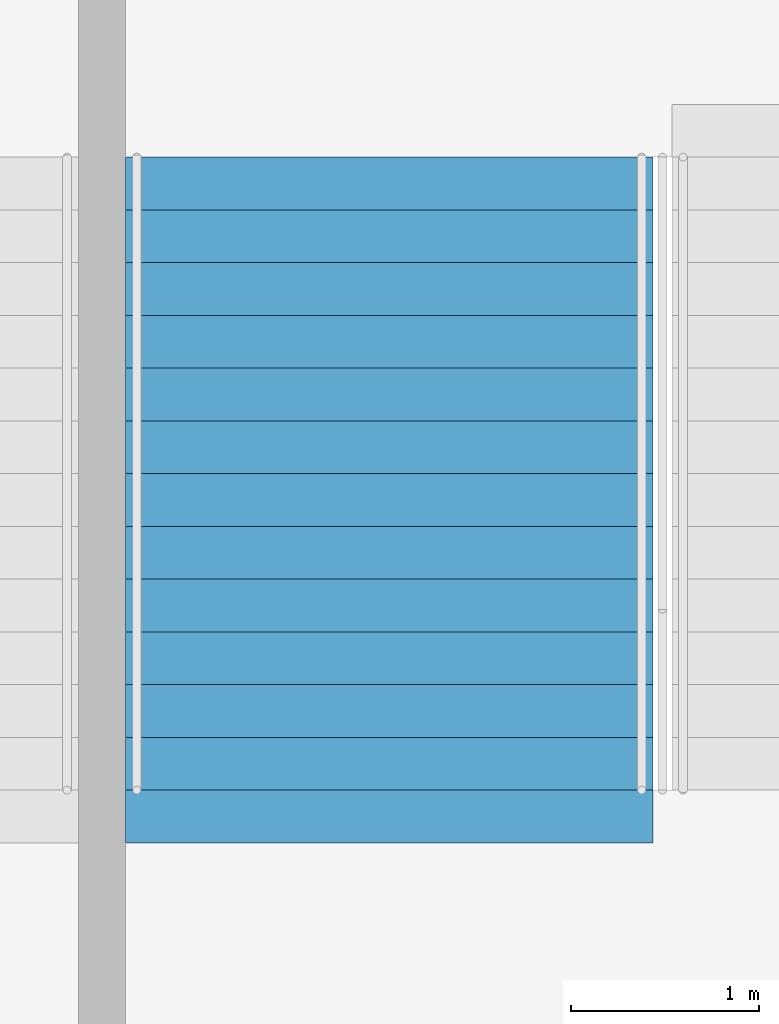
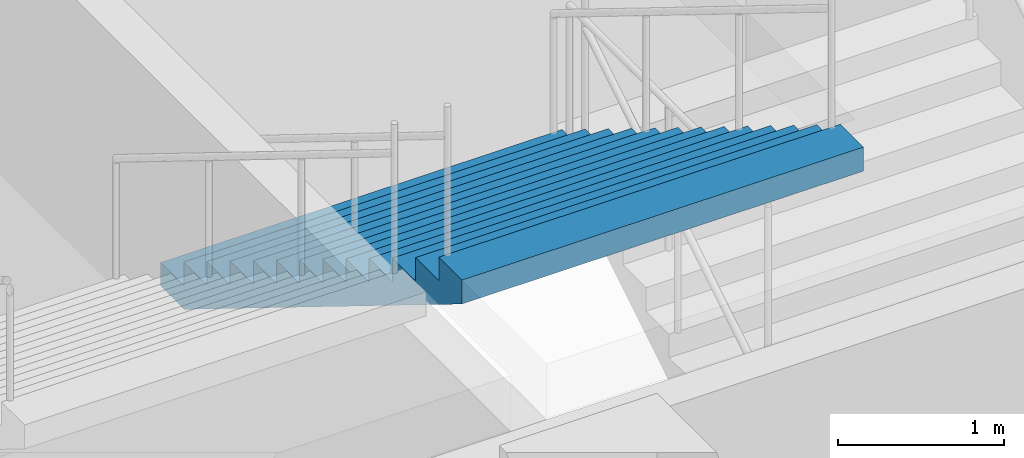
# One storey, part 161 of 199: 1 stair flight, 1 element without a shape of its own.
"""IFC4 building model written with IfcOpenShell, lengths in metres."""

from ifc_helpers import new_model, si_unit, direction, frame, origin, place, context, subcontext, project, spatial, faceted_brep, material, type_object, element, aggregate, save


model = new_model("IFC4")

# Units and contexts
model_context = context("Model", 3, precision=1e-05, world=origin(), true_north=direction((0.0, 1.0)))
body_context = subcontext(model_context, "Body", "Model", "MODEL_VIEW")
ifc_project = project(units=[si_unit("LENGTHUNIT", "METRE"), si_unit("AREAUNIT", "SQUARE_METRE"), si_unit("VOLUMEUNIT", "CUBIC_METRE"), si_unit("PLANEANGLEUNIT", "RADIAN"), si_unit("MASSUNIT", "GRAM", prefix="KILO")], contexts=[model_context])

# Site, building, storey
site_placement = place(None, origin())
site = spatial("IfcSite", under=ifc_project, at=site_placement, CompositionType="ELEMENT")
building_placement = place(site_placement, origin())
building = spatial("IfcBuilding", under=site, at=building_placement, Name="Ogive Plaza Stadium", CompositionType="ELEMENT")
storey_placement = place(building_placement, frame((0.0, 0.0, 9.0)))
storey = spatial("IfcBuildingStorey", under=building, at=storey_placement, Name="L02", CompositionType="ELEMENT", Elevation=9.0)

# Stair, stair flight
ifc_material_1 = material(Name="Concrete C40/50", Category="concrete")
stair_type = type_object("IfcStairType", Name="Exit stair", PredefinedType="STRAIGHT_RUN_STAIR", material=ifc_material_1)
stair_placement = place(storey_placement, origin())
stair = element("IfcStair", 1, at=stair_placement, inside=storey, type_object=stair_type, Name="Exit stair ST32A L02 to L03", PredefinedType="STRAIGHT_RUN_STAIR")
ifc_material_2 = material(Name="Concrete C40/50", Category="concrete")
stair_flight_type = type_object("IfcStairFlightType", Name="Exit stair flight", PredefinedType="STRAIGHT", material=ifc_material_2)
stair_flight_placement = place(storey_placement, frame((-32.47509765625, 98.2099609375, 2.25), z_axis=(0.0, 0.0, 1.0), x_axis=(0.0, -1.0, 0.0)))
stair_flight = element("IfcStairFlight", 2, at=stair_flight_placement, type_object=stair_flight_type, Name="ST32A flight 2", NumberOfRisers=13, NumberOfTreads=12, PredefinedType="STRAIGHT", RiserHeight=0.173076923, TreadLength=0.28, context=body_context, shape_type="Brep", body=[
    faceted_brep([(0.28515625, -1.39990234375, 0.0), (3.639892578125, -1.39990234375, 2.07373046875), (3.639892578125, -1.39990234375, 2.25), (3.360107421875, -1.39990234375, 2.25), (3.360107421875, -1.39990234375, 2.076904296875), (3.080078125, -1.39990234375, 2.076904296875), (3.080078125, -1.39990234375, 1.90380859375), (2.800048828125, -1.39990234375, 1.90380859375), (2.800048828125, -1.39990234375, 1.730712890625), (2.52001953125, -1.39990234375, 1.730712890625), (2.52001953125, -1.39990234375, 1.5576171875), (2.239990234375, -1.39990234375, 1.5576171875), (2.239990234375, -1.39990234375, 1.384521484375), (1.9599609375, -1.39990234375, 1.384521484375), (1.9599609375, -1.39990234375, 1.21142578125), (1.679931640625, -1.39990234375, 1.21142578125), (1.679931640625, -1.39990234375, 1.03857421875), (1.39990234375, -1.39990234375, 1.03857421875), (1.39990234375, -1.39990234375, 0.865478515625), (1.1201171875, -1.39990234375, 0.865478515625), (1.1201171875, -1.39990234375, 0.6923828125), (0.840087890625, -1.39990234375, 0.6923828125), (0.840087890625, -1.39990234375, 0.519287109375), (0.56005859375, -1.39990234375, 0.519287109375), (0.56005859375, -1.39990234375, 0.34619140625), (0.280029296875, -1.39990234375, 0.34619140625), (0.280029296875, -1.39990234375, 0.173095703125), (0.0, -1.39990234375, 0.173095703125), (0.0, -1.39990234375, 0.0), (0.0, 1.39990234375, 0.0), (0.0, 1.39990234375, 0.173095703125), (0.280029296875, 1.39990234375, 0.173095703125), (0.280029296875, 1.39990234375, 0.34619140625), (0.56005859375, 1.39990234375, 0.34619140625), (0.56005859375, 1.39990234375, 0.519287109375), (0.840087890625, 1.39990234375, 0.519287109375), (0.840087890625, 1.39990234375, 0.6923828125), (1.1201171875, 1.39990234375, 0.6923828125), (1.1201171875, 1.39990234375, 0.865478515625), (1.39990234375, 1.39990234375, 0.865478515625), (1.39990234375, 1.39990234375, 1.03857421875), (1.679931640625, 1.39990234375, 1.03857421875), (1.679931640625, 1.39990234375, 1.21142578125), (1.9599609375, 1.39990234375, 1.21142578125), (1.9599609375, 1.39990234375, 1.384521484375), (2.239990234375, 1.39990234375, 1.384521484375), (2.239990234375, 1.39990234375, 1.5576171875), (2.52001953125, 1.39990234375, 1.5576171875), (2.52001953125, 1.39990234375, 1.730712890625), (2.800048828125, 1.39990234375, 1.730712890625), (2.800048828125, 1.39990234375, 1.90380859375), (3.080078125, 1.39990234375, 1.90380859375), (3.080078125, 1.39990234375, 2.076904296875), (3.360107421875, 1.39990234375, 2.076904296875), (3.360107421875, 1.39990234375, 2.25), (3.639892578125, 1.39990234375, 2.25), (3.639892578125, 1.39990234375, 2.07373046875), (0.28515625, 1.39990234375, 0.0), (0.28515625, -1.0888671875, 0.0), (3.639892578125, -1.0888671875, 2.07373046875), (0.28515625, -0.77783203125, 0.0), (3.639892578125, -0.77783203125, 2.07373046875), (0.28515625, -0.466796875, 0.0), (3.639892578125, -0.466796875, 2.07373046875), (0.28515625, -0.155517578125, 0.0), (3.639892578125, -0.155517578125, 2.07373046875), (0.28515625, 0.155517578125, 0.0), (3.639892578125, 0.155517578125, 2.07373046875), (0.28515625, 0.466796875, 0.0), (3.639892578125, 0.466796875, 2.07373046875), (0.28515625, 0.77783203125, 0.0), (3.639892578125, 0.77783203125, 2.07373046875), (0.28515625, 1.0888671875, 0.0), (3.639892578125, 1.0888671875, 2.07373046875), (3.639892578125, -1.0888671875, 2.25), (3.639892578125, -0.77783203125, 2.25), (3.639892578125, -0.466796875, 2.25), (3.639892578125, -0.155517578125, 2.25), (3.639892578125, 0.155517578125, 2.25), (3.639892578125, 0.466796875, 2.25), (3.639892578125, 0.77783203125, 2.25), (3.639892578125, 1.0888671875, 2.25), (3.360107421875, -1.0888671875, 2.25), (3.360107421875, -0.77783203125, 2.25), (3.360107421875, -0.466796875, 2.25), (3.360107421875, -0.155517578125, 2.25), (3.360107421875, 0.155517578125, 2.25), (3.360107421875, 0.466796875, 2.25), (3.360107421875, 0.77783203125, 2.25), (3.360107421875, 1.0888671875, 2.25), (3.360107421875, -1.0888671875, 2.076904296875), (3.360107421875, -0.77783203125, 2.076904296875), (3.360107421875, -0.466796875, 2.076904296875), (3.360107421875, -0.155517578125, 2.076904296875), (3.360107421875, 0.155517578125, 2.076904296875), (3.360107421875, 0.466796875, 2.076904296875), (3.360107421875, 0.77783203125, 2.076904296875), (3.360107421875, 1.0888671875, 2.076904296875), (3.080078125, -1.0888671875, 2.076904296875), (3.080078125, -0.77783203125, 2.076904296875), (3.080078125, -0.466796875, 2.076904296875), (3.080078125, -0.155517578125, 2.076904296875), (3.080078125, 0.155517578125, 2.076904296875), (3.080078125, 0.466796875, 2.076904296875), (3.080078125, 0.77783203125, 2.076904296875), (3.080078125, 1.0888671875, 2.076904296875), (3.080078125, -1.0888671875, 1.90380859375), (3.080078125, -0.77783203125, 1.90380859375), (3.080078125, -0.466796875, 1.90380859375), (3.080078125, -0.155517578125, 1.90380859375), (3.080078125, 0.155517578125, 1.90380859375), (3.080078125, 0.466796875, 1.90380859375), (3.080078125, 0.77783203125, 1.90380859375), (3.080078125, 1.0888671875, 1.90380859375), (2.800048828125, -1.0888671875, 1.90380859375), (2.800048828125, -0.77783203125, 1.90380859375), (2.800048828125, -0.466796875, 1.90380859375), (2.800048828125, -0.155517578125, 1.90380859375), (2.800048828125, 0.155517578125, 1.90380859375), (2.800048828125, 0.466796875, 1.90380859375), (2.800048828125, 0.77783203125, 1.90380859375), (2.800048828125, 1.0888671875, 1.90380859375), (2.800048828125, -1.0888671875, 1.730712890625), (2.800048828125, -0.77783203125, 1.730712890625), (2.800048828125, -0.466796875, 1.730712890625), (2.800048828125, -0.155517578125, 1.730712890625), (2.800048828125, 0.155517578125, 1.730712890625), (2.800048828125, 0.466796875, 1.730712890625), (2.800048828125, 0.77783203125, 1.730712890625), (2.800048828125, 1.0888671875, 1.730712890625), (2.52001953125, -1.0888671875, 1.730712890625), (2.52001953125, -0.77783203125, 1.730712890625), (2.52001953125, -0.466796875, 1.730712890625), (2.52001953125, -0.155517578125, 1.730712890625), (2.52001953125, 0.155517578125, 1.730712890625), (2.52001953125, 0.466796875, 1.730712890625), (2.52001953125, 0.77783203125, 1.730712890625), (2.52001953125, 1.0888671875, 1.730712890625), (2.52001953125, -1.0888671875, 1.5576171875), (2.52001953125, -0.77783203125, 1.5576171875), (2.52001953125, -0.466796875, 1.5576171875), (2.52001953125, -0.155517578125, 1.5576171875), (2.52001953125, 0.155517578125, 1.5576171875), (2.52001953125, 0.466796875, 1.5576171875), (2.52001953125, 0.77783203125, 1.5576171875), (2.52001953125, 1.0888671875, 1.5576171875), (2.239990234375, -1.0888671875, 1.5576171875), (2.239990234375, -0.77783203125, 1.5576171875), (2.239990234375, -0.466796875, 1.5576171875), (2.239990234375, -0.155517578125, 1.5576171875), (2.239990234375, 0.155517578125, 1.5576171875), (2.239990234375, 0.466796875, 1.5576171875), (2.239990234375, 0.77783203125, 1.5576171875), (2.239990234375, 1.0888671875, 1.5576171875), (2.239990234375, -1.0888671875, 1.384521484375), (2.239990234375, -0.77783203125, 1.384521484375), (2.239990234375, -0.466796875, 1.384521484375), (2.239990234375, -0.155517578125, 1.384521484375), (2.239990234375, 0.155517578125, 1.384521484375), (2.239990234375, 0.466796875, 1.384521484375), (2.239990234375, 0.77783203125, 1.384521484375), (2.239990234375, 1.0888671875, 1.384521484375), (1.9599609375, -1.0888671875, 1.384521484375), (1.9599609375, -0.77783203125, 1.384521484375), (1.9599609375, -0.466796875, 1.384521484375), (1.9599609375, -0.155517578125, 1.384521484375), (1.9599609375, 0.155517578125, 1.384521484375), (1.9599609375, 0.466796875, 1.384521484375), (1.9599609375, 0.77783203125, 1.384521484375), (1.9599609375, 1.0888671875, 1.384521484375), (1.9599609375, -1.0888671875, 1.21142578125), (1.9599609375, -0.77783203125, 1.21142578125), (1.9599609375, -0.466796875, 1.21142578125), (1.9599609375, -0.155517578125, 1.21142578125), (1.9599609375, 0.155517578125, 1.21142578125), (1.9599609375, 0.466796875, 1.21142578125), (1.9599609375, 0.77783203125, 1.21142578125), (1.9599609375, 1.0888671875, 1.21142578125), (1.679931640625, -1.0888671875, 1.21142578125), (1.679931640625, -0.77783203125, 1.21142578125), (1.679931640625, -0.466796875, 1.21142578125), (1.679931640625, -0.155517578125, 1.21142578125), (1.679931640625, 0.155517578125, 1.21142578125), (1.679931640625, 0.466796875, 1.21142578125), (1.679931640625, 0.77783203125, 1.21142578125), (1.679931640625, 1.0888671875, 1.21142578125), (1.679931640625, -1.0888671875, 1.03857421875), (1.679931640625, -0.77783203125, 1.03857421875), (1.679931640625, -0.466796875, 1.03857421875), (1.679931640625, -0.155517578125, 1.03857421875), (1.679931640625, 0.155517578125, 1.03857421875), (1.679931640625, 0.466796875, 1.03857421875), (1.679931640625, 0.77783203125, 1.03857421875), (1.679931640625, 1.0888671875, 1.03857421875), (1.39990234375, -1.0888671875, 1.03857421875), (1.39990234375, -0.77783203125, 1.03857421875), (1.39990234375, -0.466796875, 1.03857421875), (1.39990234375, -0.155517578125, 1.03857421875), (1.39990234375, 0.155517578125, 1.03857421875), (1.39990234375, 0.466796875, 1.03857421875), (1.39990234375, 0.77783203125, 1.03857421875), (1.39990234375, 1.0888671875, 1.03857421875), (1.39990234375, -1.0888671875, 0.865478515625), (1.39990234375, -0.77783203125, 0.865478515625), (1.39990234375, -0.466796875, 0.865478515625), (1.39990234375, -0.155517578125, 0.865478515625), (1.39990234375, 0.155517578125, 0.865478515625), (1.39990234375, 0.466796875, 0.865478515625), (1.39990234375, 0.77783203125, 0.865478515625), (1.39990234375, 1.0888671875, 0.865478515625), (1.1201171875, -1.0888671875, 0.865478515625), (1.1201171875, -0.77783203125, 0.865478515625), (1.1201171875, -0.466796875, 0.865478515625), (1.1201171875, -0.155517578125, 0.865478515625), (1.1201171875, 0.155517578125, 0.865478515625), (1.1201171875, 0.466796875, 0.865478515625), (1.1201171875, 0.77783203125, 0.865478515625), (1.1201171875, 1.0888671875, 0.865478515625), (1.1201171875, -1.0888671875, 0.6923828125), (1.1201171875, -0.77783203125, 0.6923828125), (1.1201171875, -0.466796875, 0.6923828125), (1.1201171875, -0.155517578125, 0.6923828125), (1.1201171875, 0.155517578125, 0.6923828125), (1.1201171875, 0.466796875, 0.6923828125), (1.1201171875, 0.77783203125, 0.6923828125), (1.1201171875, 1.0888671875, 0.6923828125), (0.840087890625, -1.0888671875, 0.6923828125), (0.840087890625, -0.77783203125, 0.6923828125), (0.840087890625, -0.466796875, 0.6923828125), (0.840087890625, -0.155517578125, 0.6923828125), (0.840087890625, 0.155517578125, 0.6923828125), (0.840087890625, 0.466796875, 0.6923828125), (0.840087890625, 0.77783203125, 0.6923828125), (0.840087890625, 1.0888671875, 0.6923828125), (0.840087890625, -1.0888671875, 0.519287109375), (0.840087890625, -0.77783203125, 0.519287109375), (0.840087890625, -0.466796875, 0.519287109375), (0.840087890625, -0.155517578125, 0.519287109375), (0.840087890625, 0.155517578125, 0.519287109375), (0.840087890625, 0.466796875, 0.519287109375), (0.840087890625, 0.77783203125, 0.519287109375), (0.840087890625, 1.0888671875, 0.519287109375), (0.56005859375, -1.0888671875, 0.519287109375), (0.56005859375, -0.77783203125, 0.519287109375), (0.56005859375, -0.466796875, 0.519287109375), (0.56005859375, -0.155517578125, 0.519287109375), (0.56005859375, 0.155517578125, 0.519287109375), (0.56005859375, 0.466796875, 0.519287109375), (0.56005859375, 0.77783203125, 0.519287109375), (0.56005859375, 1.0888671875, 0.519287109375), (0.56005859375, -1.0888671875, 0.34619140625), (0.56005859375, -0.77783203125, 0.34619140625), (0.56005859375, -0.466796875, 0.34619140625), (0.56005859375, -0.155517578125, 0.34619140625), (0.56005859375, 0.155517578125, 0.34619140625), (0.56005859375, 0.466796875, 0.34619140625), (0.56005859375, 0.77783203125, 0.34619140625), (0.56005859375, 1.0888671875, 0.34619140625), (0.280029296875, -1.0888671875, 0.34619140625), (0.280029296875, -0.77783203125, 0.34619140625), (0.280029296875, -0.466796875, 0.34619140625), (0.280029296875, -0.155517578125, 0.34619140625), (0.280029296875, 0.155517578125, 0.34619140625), (0.280029296875, 0.466796875, 0.34619140625), (0.280029296875, 0.77783203125, 0.34619140625), (0.280029296875, 1.0888671875, 0.34619140625), (0.280029296875, -1.0888671875, 0.173095703125), (0.280029296875, -0.77783203125, 0.173095703125), (0.280029296875, -0.466796875, 0.173095703125), (0.280029296875, -0.155517578125, 0.173095703125), (0.280029296875, 0.155517578125, 0.173095703125), (0.280029296875, 0.466796875, 0.173095703125), (0.280029296875, 0.77783203125, 0.173095703125), (0.280029296875, 1.0888671875, 0.173095703125), (0.0, -1.0888671875, 0.173095703125), (0.0, -0.77783203125, 0.173095703125), (0.0, -0.466796875, 0.173095703125), (0.0, -0.155517578125, 0.173095703125), (0.0, 0.155517578125, 0.173095703125), (0.0, 0.466796875, 0.173095703125), (0.0, 0.77783203125, 0.173095703125), (0.0, 1.0888671875, 0.173095703125), (0.0, -1.0888671875, 0.0), (0.0, -0.77783203125, 0.0), (0.0, -0.466796875, 0.0), (0.0, -0.155517578125, 0.0), (0.0, 0.155517578125, 0.0), (0.0, 0.466796875, 0.0), (0.0, 0.77783203125, 0.0), (0.0, 1.0888671875, 0.0)], [[[0, 1, 2, 3, 4, 5, 6, 7, 8, 9, 10, 11, 12, 13, 14, 15, 16, 17, 18, 19, 20, 21, 22, 23, 24, 25, 26, 27, 28]], [[29, 30, 31, 32, 33, 34, 35, 36, 37, 38, 39, 40, 41, 42, 43, 44, 45, 46, 47, 48, 49, 50, 51, 52, 53, 54, 55, 56, 57]], [[0, 58, 59, 1]], [[58, 60, 61, 59]], [[60, 62, 63, 61]], [[62, 64, 65, 63]], [[64, 66, 67, 65]], [[66, 68, 69, 67]], [[68, 70, 71, 69]], [[70, 72, 73, 71]], [[72, 57, 56, 73]], [[1, 59, 74, 2]], [[59, 61, 75, 74]], [[61, 63, 76, 75]], [[63, 65, 77, 76]], [[65, 67, 78, 77]], [[67, 69, 79, 78]], [[69, 71, 80, 79]], [[71, 73, 81, 80]], [[73, 56, 55, 81]], [[2, 74, 82, 3]], [[74, 75, 83, 82]], [[75, 76, 84, 83]], [[76, 77, 85, 84]], [[77, 78, 86, 85]], [[78, 79, 87, 86]], [[79, 80, 88, 87]], [[80, 81, 89, 88]], [[81, 55, 54, 89]], [[3, 82, 90, 4]], [[82, 83, 91, 90]], [[83, 84, 92, 91]], [[84, 85, 93, 92]], [[85, 86, 94, 93]], [[86, 87, 95, 94]], [[87, 88, 96, 95]], [[88, 89, 97, 96]], [[89, 54, 53, 97]], [[4, 90, 98, 5]], [[90, 91, 99, 98]], [[91, 92, 100, 99]], [[92, 93, 101, 100]], [[93, 94, 102, 101]], [[94, 95, 103, 102]], [[95, 96, 104, 103]], [[96, 97, 105, 104]], [[97, 53, 52, 105]], [[5, 98, 106, 6]], [[98, 99, 107, 106]], [[99, 100, 108, 107]], [[100, 101, 109, 108]], [[101, 102, 110, 109]], [[102, 103, 111, 110]], [[103, 104, 112, 111]], [[104, 105, 113, 112]], [[105, 52, 51, 113]], [[6, 106, 114, 7]], [[106, 107, 115, 114]], [[107, 108, 116, 115]], [[108, 109, 117, 116]], [[109, 110, 118, 117]], [[110, 111, 119, 118]], [[111, 112, 120, 119]], [[112, 113, 121, 120]], [[113, 51, 50, 121]], [[7, 114, 122, 8]], [[114, 115, 123, 122]], [[115, 116, 124, 123]], [[116, 117, 125, 124]], [[117, 118, 126, 125]], [[118, 119, 127, 126]], [[119, 120, 128, 127]], [[120, 121, 129, 128]], [[121, 50, 49, 129]], [[8, 122, 130, 9]], [[122, 123, 131, 130]], [[123, 124, 132, 131]], [[124, 125, 133, 132]], [[125, 126, 134, 133]], [[126, 127, 135, 134]], [[127, 128, 136, 135]], [[128, 129, 137, 136]], [[129, 49, 48, 137]], [[9, 130, 138, 10]], [[130, 131, 139, 138]], [[131, 132, 140, 139]], [[132, 133, 141, 140]], [[133, 134, 142, 141]], [[134, 135, 143, 142]], [[135, 136, 144, 143]], [[136, 137, 145, 144]], [[137, 48, 47, 145]], [[10, 138, 146, 11]], [[138, 139, 147, 146]], [[139, 140, 148, 147]], [[140, 141, 149, 148]], [[141, 142, 150, 149]], [[142, 143, 151, 150]], [[143, 144, 152, 151]], [[144, 145, 153, 152]], [[145, 47, 46, 153]], [[11, 146, 154, 12]], [[146, 147, 155, 154]], [[147, 148, 156, 155]], [[148, 149, 157, 156]], [[149, 150, 158, 157]], [[150, 151, 159, 158]], [[151, 152, 160, 159]], [[152, 153, 161, 160]], [[153, 46, 45, 161]], [[12, 154, 162, 13]], [[154, 155, 163, 162]], [[155, 156, 164, 163]], [[156, 157, 165, 164]], [[157, 158, 166, 165]], [[158, 159, 167, 166]], [[159, 160, 168, 167]], [[160, 161, 169, 168]], [[161, 45, 44, 169]], [[13, 162, 170, 14]], [[162, 163, 171, 170]], [[163, 164, 172, 171]], [[164, 165, 173, 172]], [[165, 166, 174, 173]], [[166, 167, 175, 174]], [[167, 168, 176, 175]], [[168, 169, 177, 176]], [[169, 44, 43, 177]], [[14, 170, 178, 15]], [[170, 171, 179, 178]], [[171, 172, 180, 179]], [[172, 173, 181, 180]], [[173, 174, 182, 181]], [[174, 175, 183, 182]], [[175, 176, 184, 183]], [[176, 177, 185, 184]], [[177, 43, 42, 185]], [[15, 178, 186, 16]], [[178, 179, 187, 186]], [[179, 180, 188, 187]], [[180, 181, 189, 188]], [[181, 182, 190, 189]], [[182, 183, 191, 190]], [[183, 184, 192, 191]], [[184, 185, 193, 192]], [[185, 42, 41, 193]], [[16, 186, 194, 17]], [[186, 187, 195, 194]], [[187, 188, 196, 195]], [[188, 189, 197, 196]], [[189, 190, 198, 197]], [[190, 191, 199, 198]], [[191, 192, 200, 199]], [[192, 193, 201, 200]], [[193, 41, 40, 201]], [[17, 194, 202, 18]], [[194, 195, 203, 202]], [[195, 196, 204, 203]], [[196, 197, 205, 204]], [[197, 198, 206, 205]], [[198, 199, 207, 206]], [[199, 200, 208, 207]], [[200, 201, 209, 208]], [[201, 40, 39, 209]], [[18, 202, 210, 19]], [[202, 203, 211, 210]], [[203, 204, 212, 211]], [[204, 205, 213, 212]], [[205, 206, 214, 213]], [[206, 207, 215, 214]], [[207, 208, 216, 215]], [[208, 209, 217, 216]], [[209, 39, 38, 217]], [[19, 210, 218, 20]], [[210, 211, 219, 218]], [[211, 212, 220, 219]], [[212, 213, 221, 220]], [[213, 214, 222, 221]], [[214, 215, 223, 222]], [[215, 216, 224, 223]], [[216, 217, 225, 224]], [[217, 38, 37, 225]], [[20, 218, 226, 21]], [[218, 219, 227, 226]], [[219, 220, 228, 227]], [[220, 221, 229, 228]], [[221, 222, 230, 229]], [[222, 223, 231, 230]], [[223, 224, 232, 231]], [[224, 225, 233, 232]], [[225, 37, 36, 233]], [[21, 226, 234, 22]], [[226, 227, 235, 234]], [[227, 228, 236, 235]], [[228, 229, 237, 236]], [[229, 230, 238, 237]], [[230, 231, 239, 238]], [[231, 232, 240, 239]], [[232, 233, 241, 240]], [[233, 36, 35, 241]], [[22, 234, 242, 23]], [[234, 235, 243, 242]], [[235, 236, 244, 243]], [[236, 237, 245, 244]], [[237, 238, 246, 245]], [[238, 239, 247, 246]], [[239, 240, 248, 247]], [[240, 241, 249, 248]], [[241, 35, 34, 249]], [[23, 242, 250, 24]], [[242, 243, 251, 250]], [[243, 244, 252, 251]], [[244, 245, 253, 252]], [[245, 246, 254, 253]], [[246, 247, 255, 254]], [[247, 248, 256, 255]], [[248, 249, 257, 256]], [[249, 34, 33, 257]], [[24, 250, 258, 25]], [[250, 251, 259, 258]], [[251, 252, 260, 259]], [[252, 253, 261, 260]], [[253, 254, 262, 261]], [[254, 255, 263, 262]], [[255, 256, 264, 263]], [[256, 257, 265, 264]], [[257, 33, 32, 265]], [[25, 258, 266, 26]], [[258, 259, 267, 266]], [[259, 260, 268, 267]], [[260, 261, 269, 268]], [[261, 262, 270, 269]], [[262, 263, 271, 270]], [[263, 264, 272, 271]], [[264, 265, 273, 272]], [[265, 32, 31, 273]], [[26, 266, 274, 27]], [[266, 267, 275, 274]], [[267, 268, 276, 275]], [[268, 269, 277, 276]], [[269, 270, 278, 277]], [[270, 271, 279, 278]], [[271, 272, 280, 279]], [[272, 273, 281, 280]], [[273, 31, 30, 281]], [[27, 274, 282, 28]], [[274, 275, 283, 282]], [[275, 276, 284, 283]], [[276, 277, 285, 284]], [[277, 278, 286, 285]], [[278, 279, 287, 286]], [[279, 280, 288, 287]], [[280, 281, 289, 288]], [[281, 30, 29, 289]], [[28, 282, 58, 0]], [[282, 283, 60, 58]], [[283, 284, 62, 60]], [[284, 285, 64, 62]], [[285, 286, 66, 64]], [[286, 287, 68, 66]], [[287, 288, 70, 68]], [[288, 289, 72, 70]], [[289, 29, 57, 72]]]),
])
aggregate(stair, [stair_flight])

save(model, "model.ifc")
